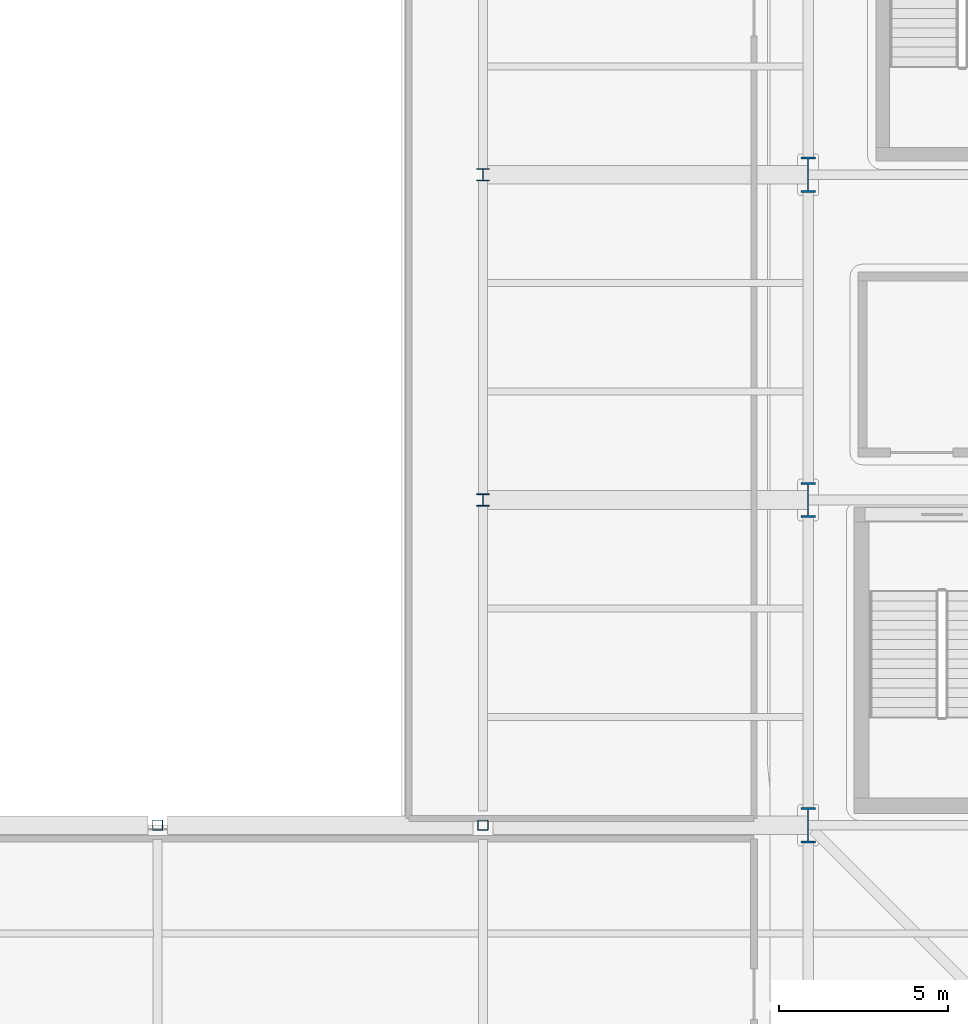
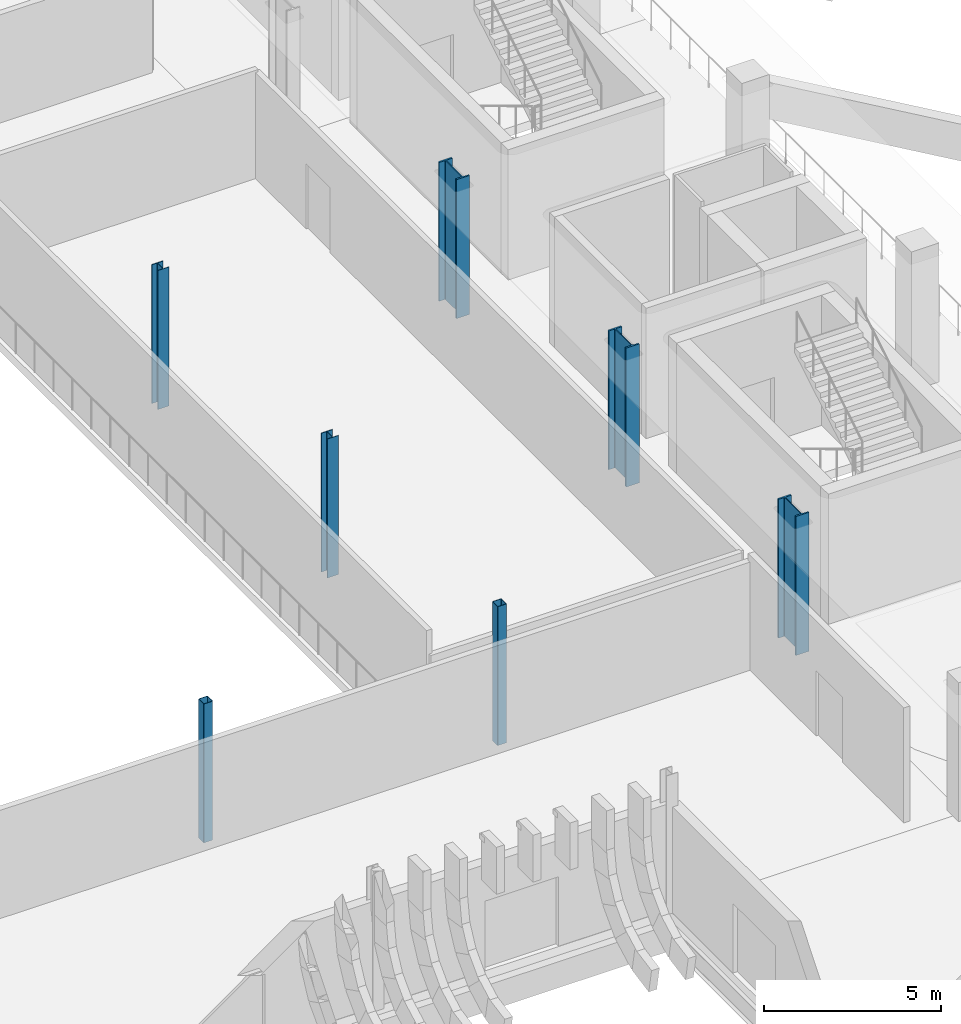
# One storey, part 4 of 100: 7 columns.
"""IFC4 building model written with IfcOpenShell, lengths in metres."""

from ifc_helpers import new_model, si_unit, direction, frame, origin, origin_2d, place, context, subcontext, project, spatial, hollow_rectangle, i_section, extrude, material, material_profile, profile_set, type_object, element, save


model = new_model("IFC4")

# Units and contexts
model_context = context("Model", 3, precision=1e-05, world=origin(), true_north=direction((0.0, 1.0)))
body_context = subcontext(model_context, "Body", "Model", "MODEL_VIEW")
ifc_project = project(units=[si_unit("LENGTHUNIT", "METRE"), si_unit("AREAUNIT", "SQUARE_METRE"), si_unit("VOLUMEUNIT", "CUBIC_METRE"), si_unit("PLANEANGLEUNIT", "RADIAN"), si_unit("MASSUNIT", "GRAM", prefix="KILO")], contexts=[model_context])

# Site, building, storey
site_placement = place(None, origin())
site = spatial("IfcSite", under=ifc_project, at=site_placement, CompositionType="ELEMENT")
building_placement = place(site_placement, origin())
building = spatial("IfcBuilding", under=site, at=building_placement, Name="Caelomonte Colonnade Arena", CompositionType="ELEMENT")
storey_placement = place(building_placement, origin())
storey = spatial("IfcBuildingStorey", under=building, at=storey_placement, Name="L00", CompositionType="ELEMENT", Elevation=0.0)

# Columns
ifc_material_1 = material(Name="Steel ASTM A500 Grade C", Category="steel")
ifc_material_profile_1 = material_profile(ifc_material_1, hollow_rectangle(XDim=0.3046875, YDim=0.3046875, WallThickness=0.0126953125, InnerFilletRadius=0.0126953125, OuterFilletRadius=0.025390625, at=origin_2d()), Name="HSS305X305X12.7")
ifc_profile_set_1 = profile_set([ifc_material_profile_1], Name="Steel ASTM A500 Grade C")
column_type_1 = type_object("IfcColumnType", Name="STR-COL-HSS30", PredefinedType="COLUMN", material=ifc_profile_set_1)
for number, where, z_axis, x_axis, name in (
    (1, (38.39990234375, 38.39990234375, 0.0), (0.0, 0.0, 1.0), (1.0, 0.0, 0.0), "L00 column (38.4, 38.4)"),
    (2, (48.0, 38.39990234375, 0.0), (0.0, 0.0, 1.0), (1.0, 0.0, 0.0), "L00 column (48.0, 38.4)"),
):
    element("IfcColumn", number, at=place(storey_placement, frame(where, z_axis=z_axis, x_axis=x_axis)), inside=storey, type_object=column_type_1, Name=name, PredefinedType="COLUMN", context=body_context, shape_type="SweptSolid", body=[
        extrude(hollow_rectangle(XDim=0.3046875, YDim=0.3046875, WallThickness=0.0126953125, InnerFilletRadius=0.0126953125, OuterFilletRadius=0.025390625, at=origin_2d()), origin(), (0.0, 0.0, 1.0), 4.800048828125),
    ])
ifc_material_2 = material(Name="Wide-flange steel ASTM A992 Grade 50", Category="steel")
ifc_material_profile_2 = material_profile(ifc_material_2, i_section(OverallWidth=0.368896484375, OverallDepth=0.356201171875, WebThickness=0.01123046875, FlangeThickness=0.01806640625, FilletRadius=0.01513671875, at=origin_2d()), Name="W14X90")
ifc_profile_set_2 = profile_set([ifc_material_profile_2], Name="Wide-flange steel ASTM A992 Grade 50")
column_type_2 = type_object("IfcColumnType", Name="STR-COL-W14B", PredefinedType="COLUMN", material=ifc_profile_set_2)
for number, where, z_axis, x_axis, name in (
    (3, (48.0, 48.0, 0.0), (0.0, 0.0, 1.0), (1.0, 0.0, 0.0), "L00 column (48.0, 48.0)"),
    (4, (48.0, 57.60009765625, 0.0), (0.0, 0.0, 1.0), (1.0, 0.0, 0.0), "L00 column (48.0, 57.6)"),
):
    element("IfcColumn", number, at=place(storey_placement, frame(where, z_axis=z_axis, x_axis=x_axis)), inside=storey, type_object=column_type_2, Name=name, PredefinedType="COLUMN", context=body_context, shape_type="SweptSolid", body=[
        extrude(i_section(OverallWidth=0.368896484375, OverallDepth=0.356201171875, WebThickness=0.01123046875, FlangeThickness=0.01806640625, FilletRadius=0.01513671875, at=origin_2d()), origin(), (0.0, 0.0, 1.0), 4.800048828125),
    ])
ifc_material_profile_3 = material_profile(ifc_material_2, i_section(OverallWidth=0.427001953125, OverallDepth=1.04150390625, WebThickness=0.031005859375, FlangeThickness=0.055908203125, FilletRadius=0.030517578125, at=origin_2d()), Name="W40X397")
ifc_profile_set_3 = profile_set([ifc_material_profile_3], Name="Wide-flange steel ASTM A992 Grade 50")
column_type_3 = type_object("IfcColumnType", Name="STR-COL-W40A", PredefinedType="COLUMN", material=ifc_profile_set_3)
for number, where, z_axis, x_axis, name in (
    (5, (57.60009765625, 38.39990234375, 0.0), (0.0, 0.0, 1.0), (1.0, 0.0, 0.0), "L00 column (57.6, 38.4)"),
    (6, (57.60009765625, 48.0, 0.0), (0.0, 0.0, 1.0), (1.0, 0.0, 0.0), "L00 column (57.6, 48.0)"),
    (7, (57.60009765625, 57.60009765625, 0.0), (0.0, 0.0, 1.0), (1.0, 0.0, 0.0), "L00 column (57.6, 57.6)"),
):
    element("IfcColumn", number, at=place(storey_placement, frame(where, z_axis=z_axis, x_axis=x_axis)), inside=storey, type_object=column_type_3, Name=name, PredefinedType="COLUMN", context=body_context, shape_type="SweptSolid", body=[
        extrude(i_section(OverallWidth=0.427001953125, OverallDepth=1.04150390625, WebThickness=0.031005859375, FlangeThickness=0.055908203125, FilletRadius=0.030517578125, at=origin_2d()), origin(), (0.0, 0.0, 1.0), 4.800048828125),
    ])

save(model, "model.ifc")
